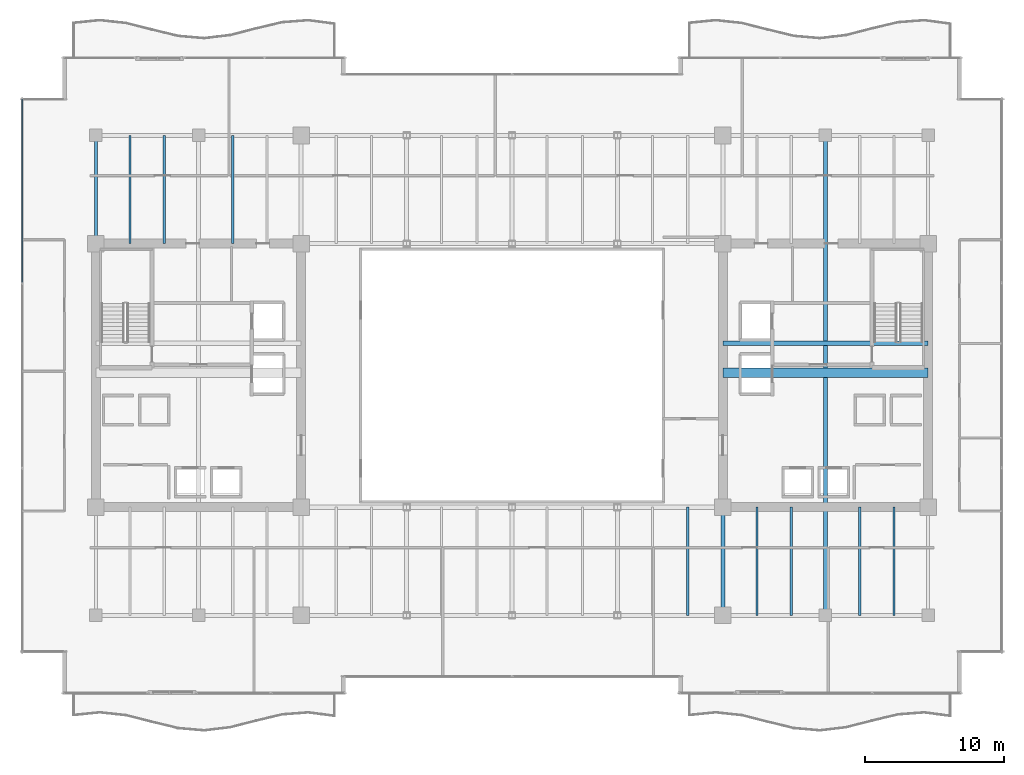
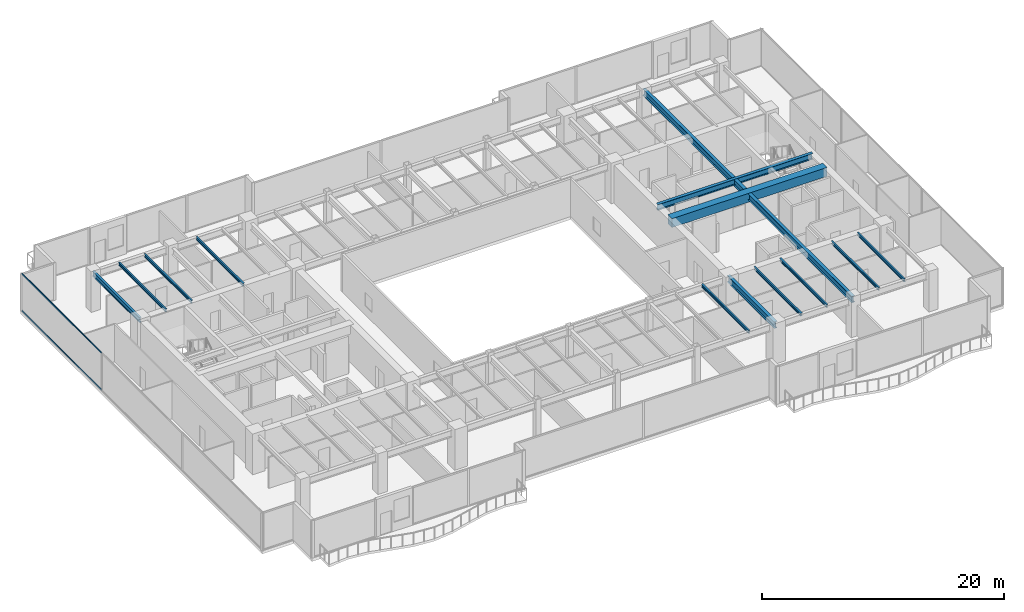
# One storey, part 11 of 30: 13 beams, 2 members, 1 element without a shape of its own.
"""IFC4 building model written with IfcOpenShell, lengths in metres."""

from ifc_helpers import new_model, si_unit, direction, frame, origin, origin_2d, place, context, subcontext, project, spatial, rectangle, hollow_rectangle, i_section, extrude, source, transform, mapped, material, layer, layer_set, material_profile, profile_set, type_object, type_shapes, element, aggregate, save


model = new_model("IFC4")

# Units and contexts
model_context = context("Model", 3, precision=1e-05, world=origin(), true_north=direction((0.0, 1.0)))
body_context = subcontext(model_context, "Body", "Model", "MODEL_VIEW")
ifc_project = project(units=[si_unit("LENGTHUNIT", "METRE"), si_unit("AREAUNIT", "SQUARE_METRE"), si_unit("VOLUMEUNIT", "CUBIC_METRE"), si_unit("PLANEANGLEUNIT", "RADIAN"), si_unit("MASSUNIT", "GRAM", prefix="KILO")], contexts=[model_context])

# Site, building, storey
site_placement = place(None, origin())
site = spatial("IfcSite", under=ifc_project, at=site_placement, CompositionType="ELEMENT")
building_placement = place(site_placement, origin())
building = spatial("IfcBuilding", under=site, at=building_placement, Name="Haelvirn Gate Laboratories", CompositionType="ELEMENT")
storey_placement = place(building_placement, frame((0.0, 0.0, 146.10009765625)))
storey = spatial("IfcBuildingStorey", under=building, at=storey_placement, Name="L35", CompositionType="ELEMENT", Elevation=146.10009765625)

# Beams
ifc_material_1 = material(Name="Concrete C60/75", Category="concrete")
ifc_material_profile_1 = material_profile(ifc_material_1, rectangle(XDim=0.699951171875, YDim=0.89990234375, at=origin_2d()), Name="RCB-700x900")
ifc_profile_set_1 = profile_set([ifc_material_profile_1], Name="Concrete C60/75")
beam_type_1 = type_object("IfcBeamType", Name="BM-RCB-900", PredefinedType="LINTEL", material=ifc_profile_set_1)
shared_shape_1 = source(origin(), body_context, "Body", "SweptSolid", [
    extrude(rectangle(XDim=0.699951171875, YDim=0.89990234375, at=origin_2d()), origin(), (0.0, 0.0, 1.0), 14.7998046875),
])
type_shapes(beam_type_1, [shared_shape_1])
beam_1_placement = place(storey_placement, frame((52.60009765625, 24.5, 3.33984375), z_axis=(1.0, 0.0, 0.0), x_axis=(0.0, 1.0, 0.0)))
element("IfcBeam", 1, at=beam_1_placement, inside=storey, type_object=beam_type_1, Name="L35 East Core Coupling Beam", PredefinedType="LINTEL", context=body_context, shape_type="MappedRepresentation", body=[
    mapped(shared_shape_1, transform((0.0, 0.0, 0.0), scale=1.0)),
])
ifc_material_2 = material(Name="Steel SM355", Category="steel")
ifc_material_profile_2 = material_profile(ifc_material_2, i_section(OverallWidth=0.300048828125, OverallDepth=0.587890625, WebThickness=0.011962890625, FlangeThickness=0.02001953125, at=origin_2d()), Name="H-588x300x12x20")
ifc_profile_set_2 = profile_set([ifc_material_profile_2], Name="Steel SM355")
beam_type_2 = type_object("IfcBeamType", Name="BM-G-588", PredefinedType="BEAM", material=ifc_profile_set_2)
shared_shape_2 = source(origin(), body_context, "Body", "SweptSolid", [
    extrude(i_section(OverallWidth=0.300048828125, OverallDepth=0.587890625, WebThickness=0.011962890625, FlangeThickness=0.02001953125, at=origin_2d()), origin(), (0.0, 0.0, 1.0), 14.7998046875),
])
type_shapes(beam_type_2, [shared_shape_2])
beam_2_placement = place(storey_placement, frame((52.60009765625, 26.6201171875, 3.495849609375), z_axis=(1.0, 0.0, 0.0), x_axis=(0.0, 1.0, 0.0)))
element("IfcBeam", 2, at=beam_2_placement, inside=storey, type_object=beam_type_2, Name="L35 Stair ST2 Landing Header", PredefinedType="BEAM", context=body_context, shape_type="MappedRepresentation", body=[
    mapped(shared_shape_2, transform((0.0, 0.0, 0.0), scale=1.0)),
])
ifc_material_profile_3 = material_profile(ifc_material_2, i_section(OverallWidth=0.199951171875, OverallDepth=0.5, WebThickness=0.010009765625, FlangeThickness=0.01611328125, at=origin_2d()), Name="H-500x200x10x16")
ifc_profile_set_3 = profile_set([ifc_material_profile_3], Name="Steel SM355")
beam_type_3 = type_object("IfcBeamType", Name="BM-SP-500", PredefinedType="SPANDREL", material=ifc_profile_set_3)
shared_shape_3 = source(origin(), body_context, "Body", "SweptSolid", [
    extrude(i_section(OverallWidth=0.199951171875, OverallDepth=0.5, WebThickness=0.010009765625, FlangeThickness=0.01611328125, at=origin_2d()), origin(), (0.0, 0.0, 1.0), 7.800048828125),
])
type_shapes(beam_type_3, [shared_shape_3])
beam_3_placement = place(storey_placement, frame((7.39990234375, 33.800048828125, 3.539794921875), z_axis=(0.0, 1.0, 0.0), x_axis=(-1.0, 0.0, 0.0)))
element("IfcBeam", 3, at=beam_3_placement, inside=storey, type_object=beam_type_3, Name="L35 Perimeter Spandrel X7.4 (33.8-41.6)", PredefinedType="SPANDREL", context=body_context, shape_type="MappedRepresentation", body=[
    mapped(shared_shape_3, transform((0.0, 0.0, 0.0), scale=1.0)),
])
ifc_material_profile_4 = material_profile(ifc_material_2, i_section(OverallWidth=0.300048828125, OverallDepth=0.64990234375, WebThickness=0.012939453125, FlangeThickness=0.02197265625, at=origin_2d()), Name="H-650x300x13x22")
ifc_profile_set_4 = profile_set([ifc_material_profile_4], Name="Steel SM355")
beam_type_4 = type_object("IfcBeamType", Name="BM-G-650", PredefinedType="BEAM", material=ifc_profile_set_4)
shared_shape_4 = source(origin(), body_context, "Body", "SweptSolid", [
    extrude(i_section(OverallWidth=0.300048828125, OverallDepth=0.64990234375, WebThickness=0.012939453125, FlangeThickness=0.02197265625, at=origin_2d()), origin(), (0.0, 0.0, 1.0), 34.60009765625),
])
beam_4_placement = place(storey_placement, frame((60.0, 7.0, 3.46484375), z_axis=(0.0, 1.0, 0.0), x_axis=(-1.0, 0.0, 0.0)))
element("IfcBeam", 4, at=beam_4_placement, inside=storey, type_object=beam_type_4, Name="L35 Frame Girder X60.0 (7.0-41.6)", PredefinedType="BEAM", context=body_context, shape_type="MappedRepresentation", body=[
    mapped(shared_shape_4, transform((0.0, 0.0, 0.0), scale=1.0)),
])
shared_shape_5 = source(origin(), body_context, "Body", "SweptSolid", [
    extrude(i_section(OverallWidth=0.300048828125, OverallDepth=0.64990234375, WebThickness=0.012939453125, FlangeThickness=0.02197265625, at=origin_2d()), origin(), (0.0, 0.0, 1.0), 7.800048828125),
])
type_shapes(beam_type_4, [shared_shape_4, shared_shape_5])
beam_5_placement = place(storey_placement, frame((52.60009765625, 7.0, 3.46484375), z_axis=(0.0, 1.0, 0.0), x_axis=(-1.0, 0.0, 0.0)))
element("IfcBeam", 5, at=beam_5_placement, inside=storey, type_object=beam_type_4, Name="L35 Frame Girder X52.6 (7.0-14.8)", PredefinedType="BEAM", context=body_context, shape_type="MappedRepresentation", body=[
    mapped(shared_shape_5, transform((0.0, 0.0, 0.0), scale=1.0)),
])
ifc_material_profile_5 = material_profile(ifc_material_2, i_section(OverallWidth=0.14990234375, OverallDepth=0.300048828125, WebThickness=0.006591796875, FlangeThickness=0.009033203125, at=origin_2d()), Name="H-300x150x6.5x9")
ifc_profile_set_5 = profile_set([ifc_material_profile_5], Name="Steel SM355")
beam_type_5 = type_object("IfcBeamType", Name="BM-J-300", PredefinedType="JOIST", material=ifc_profile_set_5)
shared_shape_6 = source(origin(), body_context, "Body", "SweptSolid", [
    extrude(i_section(OverallWidth=0.14990234375, OverallDepth=0.300048828125, WebThickness=0.006591796875, FlangeThickness=0.009033203125, at=origin_2d()), origin(), (0.0, 0.0, 1.0), 7.800048828125),
])
type_shapes(beam_type_5, [shared_shape_6])
for number, where, z_axis, x_axis, name in (
    (6, (9.8701171875, 33.800048828125, 3.639892578125), (0.0, 1.0, 0.0), (-1.0, 0.0, 0.0), "L35 Composite Lab Joist North X9.87"),
    (7, (12.330078125, 33.800048828125, 3.639892578125), (0.0, 1.0, 0.0), (-1.0, 0.0, 0.0), "L35 Composite Lab Joist North X12.33"),
    (8, (17.27001953125, 33.800048828125, 3.639892578125), (0.0, 1.0, 0.0), (-1.0, 0.0, 0.0), "L35 Composite Lab Joist North X17.27"),
    (9, (50.070068359375, 7.0, 3.639892578125), (0.0, 1.0, 0.0), (-1.0, 0.0, 0.0), "L35 Composite Lab Joist South X50.07"),
    (10, (55.070068359375, 7.0, 3.639892578125), (0.0, 1.0, 0.0), (-1.0, 0.0, 0.0), "L35 Composite Lab Joist South X55.07"),
    (11, (57.530029296875, 7.0, 3.639892578125), (0.0, 1.0, 0.0), (-1.0, 0.0, 0.0), "L35 Composite Lab Joist South X57.53"),
    (12, (62.469970703125, 7.0, 3.639892578125), (0.0, 1.0, 0.0), (-1.0, 0.0, 0.0), "L35 Composite Lab Joist South X62.47"),
    (13, (64.929931640625, 7.0, 3.639892578125), (0.0, 1.0, 0.0), (-1.0, 0.0, 0.0), "L35 Composite Lab Joist South X64.93"),
):
    element("IfcBeam", number, at=place(storey_placement, frame(where, z_axis=z_axis, x_axis=x_axis)), inside=storey, type_object=beam_type_5, Name=name, PredefinedType="JOIST", context=body_context, shape_type="MappedRepresentation", body=[
        mapped(shared_shape_6, transform((0.0, 0.0, 0.0), scale=1.0)),
    ])

# Curtain wall, members
ifc_material_3 = material(Name="Anodised bronze unitised aluminium & triple low-E glass", Category="aluminium")
ifc_layer = layer(ifc_material_3, 0.179931640625, Name="CW-SYS-3")
ifc_layer_set = layer_set([ifc_layer], Name="Anodised bronze unitised aluminium & triple low-E glass")
curtain_wall_type = type_object("IfcCurtainWallType", Name="CW-SYS-3", PredefinedType="NOTDEFINED", material=ifc_layer_set)
curtain_wall_placement = place(storey_placement, origin())
curtain_wall = element("IfcCurtainWall", 14, at=curtain_wall_placement, inside=storey, type_object=curtain_wall_type, Name="L35 Unitised Curtain Wall CW-L35-P0-E17", PredefinedType="NOTDEFINED")
ifc_material_4 = material(Name="Extruded aluminium 6063-T6 (anodised bronze)", Category="aluminium")
ifc_material_profile_6 = material_profile(ifc_material_4, hollow_rectangle(XDim=0.06494140625, YDim=0.139892578125, WallThickness=0.00390625, at=origin_2d()), Name="CWT-140x65x4")
ifc_profile_set_6 = profile_set([ifc_material_profile_6], Name="Extruded aluminium 6063-T6 (anodised bronze)")
member_type = type_object("IfcMemberType", Name="CWT-T140", PredefinedType="USERDEFINED", material=ifc_profile_set_6)
shared_shape_7 = source(origin(), body_context, "Body", "SweptSolid", [
    extrude(hollow_rectangle(XDim=0.06494140625, YDim=0.139892578125, WallThickness=0.00390625, at=origin_2d()), origin(), (0.0, 0.0, 1.0), 13.220947265625),
])
type_shapes(member_type, [shared_shape_7])
member_1_placement = place(storey_placement, frame((2.10009765625, 44.22509765625, 0.032470703125), z_axis=(0.0, -1.0, 0.0), x_axis=(1.0, 0.0, 0.0)))
member_1 = element("IfcMember", 15, at=member_1_placement, type_object=member_type, Name="CW3 transom 1.1", ObjectType="TRANSOM", PredefinedType="USERDEFINED", context=body_context, shape_type="MappedRepresentation", body=[
    mapped(shared_shape_7, transform((0.0, 0.0, 0.0), scale=1.0)),
])
member_2_placement = place(storey_placement, frame((2.10009765625, 44.22509765625, 3.75732421875), z_axis=(0.0, -1.0, 0.0), x_axis=(1.0, 0.0, 0.0)))
member_2 = element("IfcMember", 16, at=member_2_placement, type_object=member_type, Name="CW3 transom 1.2", ObjectType="TRANSOM", PredefinedType="USERDEFINED", context=body_context, shape_type="MappedRepresentation", body=[
    mapped(shared_shape_7, transform((0.0, 0.0, 0.0), scale=1.0)),
])
aggregate(curtain_wall, [member_1, member_2])

save(model, "model.ifc")
